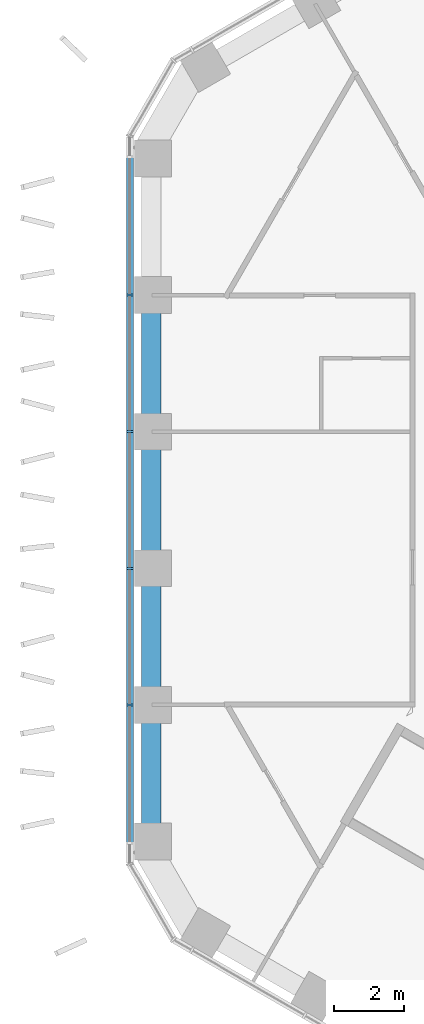
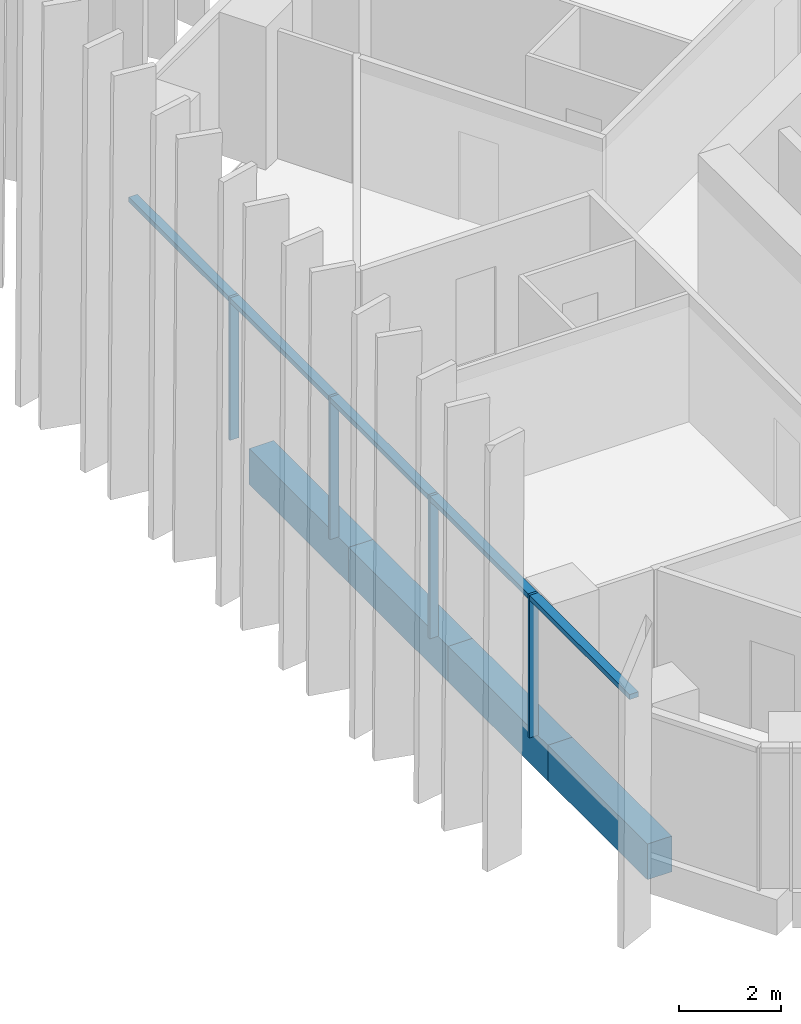
# One storey, part 3 of 19: 5 members, 4 beams, 1 element without a shape of its own.
"""IFC4 building model written with IfcOpenShell, lengths in metres."""

from ifc_helpers import new_model, si_unit, direction, frame, origin, origin_2d, place, context, subcontext, project, spatial, rectangle, extrude, material, layer, layer_set, material_profile, profile_set, type_object, element, aggregate, save


model = new_model("IFC4")

# Units and contexts
model_context = context("Model", 3, precision=1e-05, world=origin(), true_north=direction((0.0, 1.0)))
body_context = subcontext(model_context, "Body", "Model", "MODEL_VIEW")
ifc_project = project(units=[si_unit("LENGTHUNIT", "METRE"), si_unit("AREAUNIT", "SQUARE_METRE"), si_unit("VOLUMEUNIT", "CUBIC_METRE"), si_unit("PLANEANGLEUNIT", "RADIAN"), si_unit("MASSUNIT", "GRAM", prefix="KILO")], contexts=[model_context])

# Site, building, storey
site_placement = place(None, origin())
site = spatial("IfcSite", under=ifc_project, at=site_placement, CompositionType="ELEMENT")
building_placement = place(site_placement, origin())
building = spatial("IfcBuilding", under=site, at=building_placement, Name="Ayvan Gate Tower", CompositionType="ELEMENT")
storey_placement = place(building_placement, frame((0.0, 0.0, 103.5)))
storey = spatial("IfcBuildingStorey", under=building, at=storey_placement, Name="L27", CompositionType="ELEMENT", Elevation=103.5)

# Beams
ifc_material_1 = material(Name="Concrete C40/50", Category="concrete")
ifc_material_profile_1 = material_profile(ifc_material_1, rectangle(XDim=0.550048828125, YDim=0.85009765625, at=origin_2d()), Name="RC 550x850")
ifc_profile_set_1 = profile_set([ifc_material_profile_1], Name="Concrete C40/50")
beam_type = type_object("IfcBeamType", Name="Spandrel beam RC 550x850 C40/50", PredefinedType="BEAM", material=ifc_profile_set_1)
for number, where, z_axis, x_axis, name in (
    (1, (-19.14306640625, 5.829345703125, -0.77490234375), (0.0, -1.0, 0.0), (1.0, 0.0, 0.0), "SB-L27-20"),
    (2, (-19.14306640625, 1.943115234375, -0.77490234375), (0.0, -1.0, 0.0), (1.0, 0.0, 0.0), "SB-L27-21"),
    (3, (-19.14306640625, -1.943115234375, -0.77490234375), (0.0, -1.0, 0.0), (1.0, 0.0, 0.0), "SB-L27-22"),
):
    element("IfcBeam", number, at=place(storey_placement, frame(where, z_axis=z_axis, x_axis=x_axis)), inside=storey, type_object=beam_type, Name=name, PredefinedType="BEAM", context=body_context, shape_type="SweptSolid", body=[
        extrude(rectangle(XDim=0.550048828125, YDim=0.85009765625, at=origin_2d()), origin(), (0.0, 0.0, 1.0), 3.88623046875),
    ])
beam_placement = place(storey_placement, frame((-19.14306640625, -5.829345703125, -0.77490234375), z_axis=(0.0, -1.0, 0.0), x_axis=(1.0, 0.0, 0.0)))
element("IfcBeam", 4, at=beam_placement, inside=storey, type_object=beam_type, Name="SB-L27-23", PredefinedType="BEAM", context=body_context, shape_type="SweptSolid", body=[
    extrude(rectangle(XDim=0.550048828125, YDim=0.85009765625, at=origin_2d()), origin(), (0.0, 0.0, 1.0), 3.886474609375),
])

# Curtain wall, members
ifc_material_2 = material(Name="Bronze anodised aluminium", Category="aluminium")
ifc_layer = layer(ifc_material_2, 0.199951171875)
ifc_layer_set = layer_set([ifc_layer], Name="Bronze anodised aluminium")
curtain_wall_type = type_object("IfcCurtainWallType", Name="Stick curtain wall CW-1", PredefinedType="NOTDEFINED", material=ifc_layer_set)
curtain_wall_placement = place(storey_placement, origin())
curtain_wall = element("IfcCurtainWall", 5, at=curtain_wall_placement, inside=storey, type_object=curtain_wall_type, Name="Stick curtain wall CW-1 L27", PredefinedType="NOTDEFINED")
ifc_material_profile_2 = material_profile(ifc_material_2, rectangle(XDim=0.199951171875, YDim=0.06005859375, at=origin_2d()), Name="Stick curtain wall CW-1 mullion 200 x 60")
ifc_profile_set_2 = profile_set([ifc_material_profile_2], Name="Bronze anodised aluminium")
member_type_1 = type_object("IfcMemberType", Name="Stick curtain wall CW-1 mullion 200 x 60", PredefinedType="MULLION", material=ifc_profile_set_2)
member_1_placement = place(storey_placement, frame((-19.75439453125, 5.8447265625, 0.0), z_axis=(0.0, 0.0, 1.0), x_axis=(-1.0, 0.0, 0.0)))
member_1 = element("IfcMember", 6, at=member_1_placement, type_object=member_type_1, Name="CW-1 mullion 2", PredefinedType="MULLION", context=body_context, shape_type="SweptSolid", body=[
    extrude(rectangle(XDim=0.199951171875, YDim=0.06005859375, at=origin_2d()), origin(), (0.0, 0.0, 1.0), 3.39990234375),
])
member_2_placement = place(storey_placement, frame((-19.75439453125, 1.94775390625, 0.0), z_axis=(0.0, 0.0, 1.0), x_axis=(-1.0, 0.0, 0.0)))
member_2 = element("IfcMember", 7, at=member_2_placement, type_object=member_type_1, Name="CW-1 mullion 3", PredefinedType="MULLION", context=body_context, shape_type="SweptSolid", body=[
    extrude(rectangle(XDim=0.199951171875, YDim=0.06005859375, at=origin_2d()), origin(), (0.0, 0.0, 1.0), 3.39990234375),
])
member_3_placement = place(storey_placement, frame((-19.75439453125, -1.9482421875, 0.0), z_axis=(0.0, 0.0, 1.0), x_axis=(-1.0, 0.0, 0.0)))
member_3 = element("IfcMember", 8, at=member_3_placement, type_object=member_type_1, Name="CW-1 mullion 4", PredefinedType="MULLION", context=body_context, shape_type="SweptSolid", body=[
    extrude(rectangle(XDim=0.199951171875, YDim=0.06005859375, at=origin_2d()), origin(), (0.0, 0.0, 1.0), 3.39990234375),
])
member_4_placement = place(storey_placement, frame((-19.75439453125, -5.84423828125, 0.0), z_axis=(0.0, 0.0, 1.0), x_axis=(-1.0, 0.0, 0.0)))
member_4 = element("IfcMember", 9, at=member_4_placement, type_object=member_type_1, Name="CW-1 mullion 5", PredefinedType="MULLION", context=body_context, shape_type="SweptSolid", body=[
    extrude(rectangle(XDim=0.199951171875, YDim=0.06005859375, at=origin_2d()), origin(), (0.0, 0.0, 1.0), 3.39990234375),
])
ifc_material_profile_3 = material_profile(ifc_material_2, rectangle(XDim=0.199951171875, YDim=0.1201171875, at=origin_2d()), Name="Stick curtain wall CW-1 transom 200 x 120")
ifc_profile_set_3 = profile_set([ifc_material_profile_3], Name="Bronze anodised aluminium")
member_type_2 = type_object("IfcMemberType", Name="Stick curtain wall CW-1 transom 200 x 120", PredefinedType="USERDEFINED", material=ifc_profile_set_3)
member_5_placement = place(storey_placement, frame((-19.75439453125, 9.77587890625, 3.340087890625), z_axis=(0.0, -1.0, 0.0), x_axis=(1.0, 0.0, 0.0)))
member_5 = element("IfcMember", 10, at=member_5_placement, type_object=member_type_2, Name="CW-1 transom 1", ObjectType="TRANSOM", PredefinedType="USERDEFINED", context=body_context, shape_type="SweptSolid", body=[
    extrude(rectangle(XDim=0.199951171875, YDim=0.1201171875, at=origin_2d()), origin(), (0.0, 0.0, 1.0), 19.5517578125),
])
aggregate(curtain_wall, [member_1, member_2, member_3, member_4, member_5])

save(model, "model.ifc")
